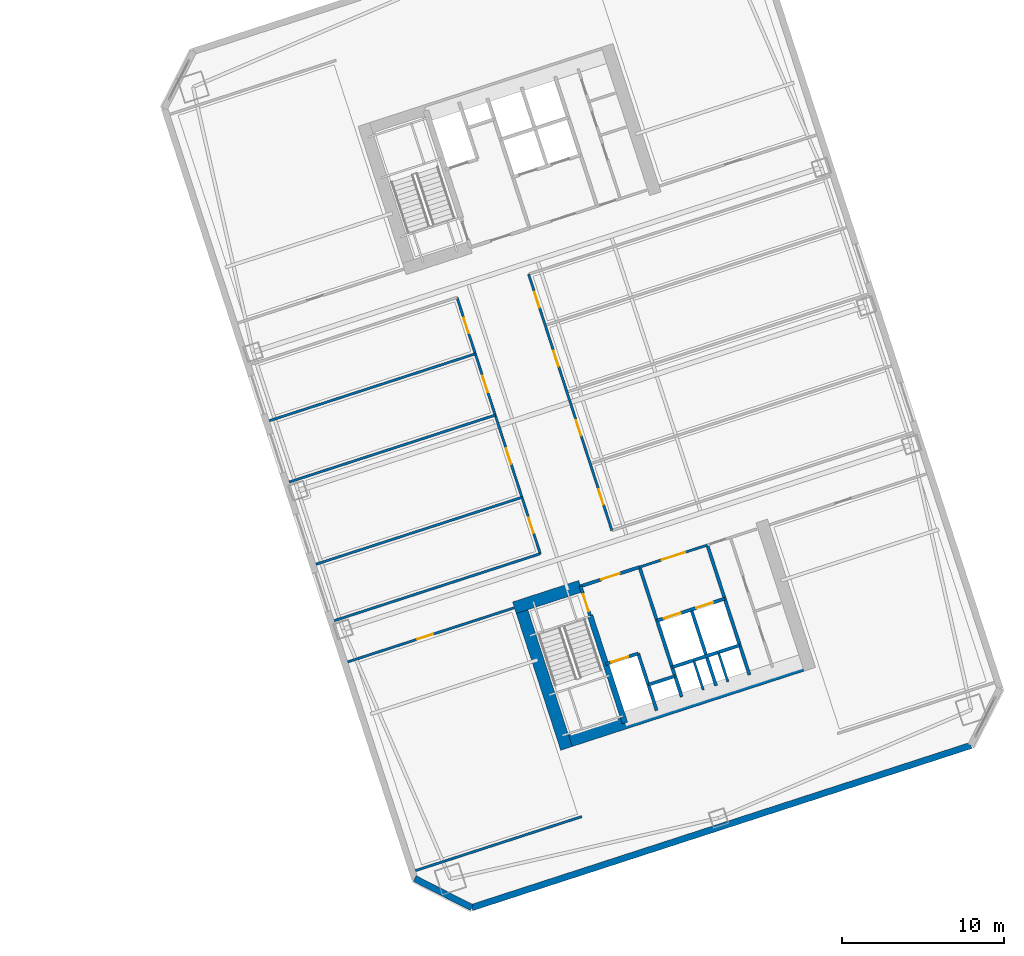
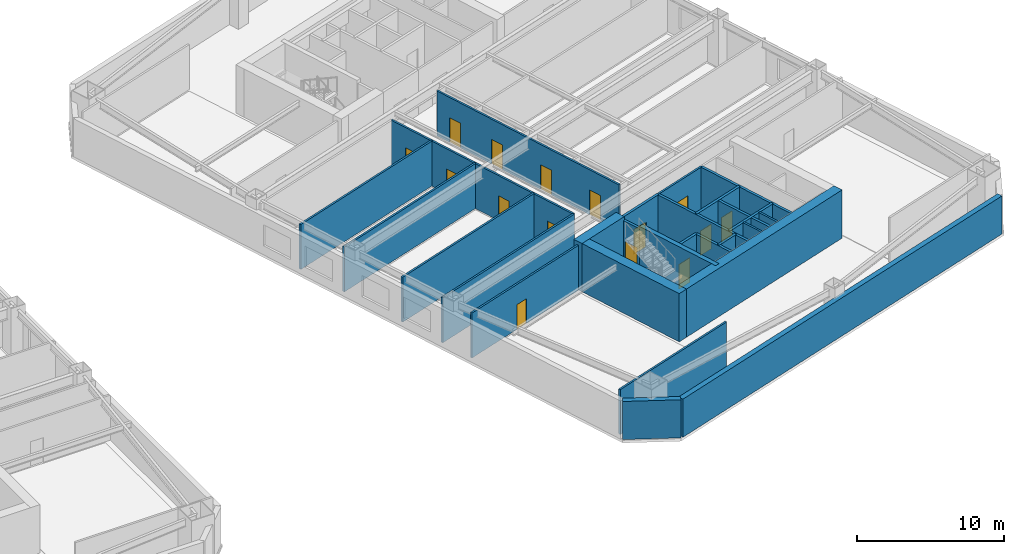
# One storey, part 13 of 24: 27 walls, 15 doors, 15 openings.
"""IFC4 building model written with IfcOpenShell, lengths in metres."""

from ifc_helpers import new_model, si_unit, direction, frame, frame_2d, origin, place, context, subcontext, project, spatial, rectangle, extrude, material, layer, layer_set, type_object, element, fill, save


model = new_model("IFC4")

# Units and contexts
model_context = context("Model", 3, precision=1e-05, world=origin(), true_north=direction((0.0, 1.0)))
body_context = subcontext(model_context, "Body", "Model", "MODEL_VIEW")
ifc_project = project(units=[si_unit("LENGTHUNIT", "METRE"), si_unit("AREAUNIT", "SQUARE_METRE"), si_unit("VOLUMEUNIT", "CUBIC_METRE"), si_unit("PLANEANGLEUNIT", "RADIAN"), si_unit("MASSUNIT", "GRAM", prefix="KILO")], contexts=[model_context])

# Site, building, storey
site_placement = place(None, origin())
site = spatial("IfcSite", under=ifc_project, at=site_placement, CompositionType="ELEMENT")
building_placement = place(site_placement, origin())
building = spatial("IfcBuilding", under=site, at=building_placement, Name="Qiaolan Cultural Towers", CompositionType="ELEMENT")
storey_placement = place(building_placement, frame((0.0, 0.0, 30.0)))
storey = spatial("IfcBuildingStorey", under=building, at=storey_placement, Name="L06", CompositionType="ELEMENT", Elevation=30.0)

# Walls
ifc_material_1 = material(Name="Concrete C50", Category="concrete")
ifc_layer_1 = layer(ifc_material_1, 0.35009765625)
ifc_layer_set_1 = layer_set([ifc_layer_1], Name="Concrete C50")
wall_type_1 = type_object("IfcWallType", Name="WL-CORE-350", PredefinedType="SHEAR", material=ifc_layer_set_1)
wall_1_placement = place(storey_placement, frame((90.486328125, 20.59423828125, 0.0), z_axis=(0.0, 0.0, 1.0), x_axis=(0.309020428229, -0.951055400562, 0.0)))
element("IfcWall", 1, at=wall_1_placement, inside=storey, type_object=wall_type_1, Name="L06 T2-CS Stair Core Dividing Web", PredefinedType="SHEAR", context=body_context, shape_type="SweptSolid", body=[
    extrude(rectangle(XDim=6.97998046875, YDim=0.35009765625, at=frame_2d((3.489990234375, 0.0))), origin(), (0.0, 0.0, 1.0), 4.0),
])
ifc_material_2 = material(Name="Concrete C60", Category="concrete")
ifc_layer_2 = layer(ifc_material_2, 0.75)
ifc_layer_set_2 = layer_set([ifc_layer_2], Name="Concrete C60")
wall_type_2 = type_object("IfcWallType", Name="WL-CORE-750", PredefinedType="SHEAR", material=ifc_layer_set_2)
wall_2_placement = place(storey_placement, frame((88.55859375, 12.628662109375, 0.0), z_axis=(0.0, 0.0, 1.0), x_axis=(0.951056072937, 0.309018358888, 0.0)))
element("IfcWall", 2, at=wall_2_placement, inside=storey, type_object=wall_type_2, Name="L06 T2-CS Outer Core Shear Wall", PredefinedType="SHEAR", context=body_context, shape_type="SweptSolid", body=[
    extrude(rectangle(XDim=16.550048828125, YDim=0.75, at=frame_2d((8.27490234375, 0.0))), origin(), (0.0, 0.0, 1.0), 4.0),
])
wall_3_placement = place(storey_placement, frame((86.05517578125, 21.54638671875, 0.0), z_axis=(0.0, 0.0, 1.0), x_axis=(0.309023585745, -0.951054374604, 0.0)))
element("IfcWall", 3, at=wall_3_placement, inside=storey, type_object=wall_type_2, Name="L06 T2-CS West Core Shear Wall", PredefinedType="SHEAR", context=body_context, shape_type="SweptSolid", body=[
    extrude(rectangle(XDim=9.6298828125, YDim=0.75, at=frame_2d((4.81494140625, 0.0))), origin(), (0.0, 0.0, 1.0), 4.0),
])
wall_4_placement = place(storey_placement, frame((85.814453125, 21.073974609375, 0.0), z_axis=(0.0, 0.0, 1.0), x_axis=(0.95106580992, 0.308988390074, 0.0)))
element("IfcWall", 4, at=wall_4_placement, inside=storey, type_object=wall_type_2, Name="L06 T2-CS Stair Front Shear Wall", PredefinedType="SHEAR", context=body_context, shape_type="SweptSolid", body=[
    extrude(rectangle(XDim=4.295166015625, YDim=0.75, at=frame_2d((2.1474609375, 0.0))), origin(), (0.0, 0.0, 1.0), 4.0),
])
ifc_material_3 = material(Name="Precast Concrete C50 Honed Stone Pier", Category="masonry")
ifc_layer_3 = layer(ifc_material_3, 0.39990234375)
ifc_layer_set_3 = layer_set([ifc_layer_3], Name="Precast Concrete C50 Honed Stone Pier")
wall_type_3 = type_object("IfcWallType", Name="WL-EXT-PIER-400", PredefinedType="SOLIDWALL", material=ifc_layer_set_3)
wall_5_placement = place(storey_placement, frame((113.997802734375, 12.566650390625, 0.0), z_axis=(0.0, 0.0, 1.0), x_axis=(-0.951055939317, -0.309018770125, 0.0)))
element("IfcWall", 5, at=wall_5_placement, inside=storey, type_object=wall_type_3, Name="L06 East Tower Precast Pier Facade Wall F7", PredefinedType="SOLIDWALL", context=body_context, shape_type="SweptSolid", body=[
    extrude(rectangle(XDim=32.39990234375, YDim=0.39990234375, at=frame_2d((16.199951171875, 0.0))), origin(), (0.0, 0.0, 1.0), 3.159912109375),
])
wall_6_placement = place(storey_placement, frame((83.18359375, 2.554443359375, 0.0), z_axis=(0.0, 0.0, 1.0), x_axis=(-0.890998089617, 0.454007053137, 0.0)))
element("IfcWall", 6, at=wall_6_placement, inside=storey, type_object=wall_type_3, Name="L06 East Tower Precast Pier Facade Wall F8", PredefinedType="SOLIDWALL", context=body_context, shape_type="SweptSolid", body=[
    extrude(rectangle(XDim=3.9599609375, YDim=0.39990234375, at=frame_2d((1.97998046875, 0.0))), origin(), (0.0, 0.0, 1.0), 3.159912109375),
])

# Wall, opening, door
ifc_material_4 = material(Name="Concrete C35 Fire Wall", Category="concrete")
ifc_layer_4 = layer(ifc_material_4, 0.199951171875)
ifc_layer_set_4 = layer_set([ifc_layer_4], Name="Concrete C35 Fire Wall")
wall_type_4 = type_object("IfcWallType", Name="WL-FIRE-200", PredefinedType="PARTITIONING", material=ifc_layer_set_4)
wall_7_placement = place(storey_placement, frame((89.8994140625, 22.401123046875, 0.0), z_axis=(0.0, 0.0, 1.0), x_axis=(0.308932062672, -0.951084108086, 0.0)))
wall_7 = element("IfcWall", 7, at=wall_7_placement, inside=storey, type_object=wall_type_4, Name="L06 T2-CS Smokeproof Stair Entry Wall", PredefinedType="PARTITIONING", context=body_context, shape_type="SweptSolid", body=[
    extrude(rectangle(XDim=1.89990234375, YDim=0.199951171875, at=frame_2d((0.949951171875, 0.0))), origin(), (0.0, 0.0, 1.0), 3.72509765625),
])
opening_1_placement = place(wall_7_placement, frame((0.52001953125, 0.0, 0.0)))
opening_1 = element("IfcOpeningElement", 8, at=opening_1_placement, cuts=wall_7, Name="Opening FD-04", PredefinedType="OPENING", context=body_context, shape_type="SweptSolid", body=[
    extrude(rectangle(XDim=1.10009765625, YDim=2.050048828125, at=frame_2d((0.550048828125, 1.02490234375))), frame((0.0, 0.10986328125, 0.0), z_axis=(0.0, -1.0, 0.0), x_axis=(1.0, 0.0, 0.0)), (0.0, 0.0, 1.0), 0.219970703125),
])
ifc_material_5 = material(Name="Galvanized Steel Command Fire Door", Category="steel")
door_type_1 = type_object("IfcDoorType", Name="DR-FD90-1100", OperationType="NOTDEFINED", PredefinedType="DOOR", material=ifc_material_5)
door_1_placement = place(opening_1_placement, origin())
door_1 = element("IfcDoor", 9, at=door_1_placement, inside=storey, type_object=door_type_1, Name="L06 ST-E1 Smokeproof Stair Fire Door", OperationType="SINGLE_SWING_LEFT", OverallHeight=2.050048828125, OverallWidth=1.10009765625, PredefinedType="DOOR", context=body_context, shape_type="SweptSolid", body=[
    extrude(rectangle(XDim=1.10009765625, YDim=2.050048828125, at=frame_2d((0.550048828125, 1.02490234375))), frame((0.0, 0.02490234375, 0.0), z_axis=(0.0, -1.0, 0.0), x_axis=(1.0, 0.0, 0.0)), (0.0, 0.0, 1.0), 0.050048828125),
])
fill(opening_1, door_1)

# Wall
wall_8_placement = place(storey_placement, frame((93.541748046875, 23.584716796875, 0.0), z_axis=(0.0, 0.0, 1.0), x_axis=(0.309042196757, -0.951048327176, 0.0)))
element("IfcWall", 10, at=wall_8_placement, inside=storey, type_object=wall_type_4, Name="L06 T2-CS Firefighting Zone Wall", PredefinedType="PARTITIONING", context=body_context, shape_type="SweptSolid", body=[
    extrude(rectangle(XDim=8.429931640625, YDim=0.199951171875, at=frame_2d((4.21484375, 0.0))), origin(), (0.0, 0.0, 1.0), 3.72509765625),
])

# Wall, opening, door
wall_9_placement = place(storey_placement, frame((89.8994140625, 22.401123046875, 0.0), z_axis=(0.0, 0.0, 1.0), x_axis=(0.951046716504, 0.309047153403, 0.0)))
wall_9 = element("IfcWall", 11, at=wall_9_placement, inside=storey, type_object=wall_type_4, Name="L06 T2-CS Firefighting Lobby Front Wall", PredefinedType="PARTITIONING", context=body_context, shape_type="SweptSolid", body=[
    extrude(rectangle(XDim=3.829833984375, YDim=0.199951171875, at=frame_2d((1.9150390625, 0.0))), origin(), (0.0, 0.0, 1.0), 3.72509765625),
])
opening_2_placement = place(wall_9_placement, frame((1.35009765625, 0.0, 0.0)))
opening_2 = element("IfcOpeningElement", 12, at=opening_2_placement, cuts=wall_9, Name="Opening FD-03", PredefinedType="OPENING", context=body_context, shape_type="SweptSolid", body=[
    extrude(rectangle(XDim=1.199951171875, YDim=2.050048828125, at=frame_2d((0.60009765625, 1.02490234375))), frame((0.0, 0.10986328125, 0.0), z_axis=(0.0, -1.0, 0.0), x_axis=(1.0, 0.0, 0.0)), (0.0, 0.0, 1.0), 0.219970703125),
])
ifc_material_6 = material(Name="Galvanized Steel Smokeproof Lobby Fire Door", Category="steel")
door_type_2 = type_object("IfcDoorType", Name="DR-FD90-1200", OperationType="NOTDEFINED", PredefinedType="DOOR", material=ifc_material_6)
door_2_placement = place(opening_2_placement, origin())
door_2 = element("IfcDoor", 13, at=door_2_placement, inside=storey, type_object=door_type_2, Name="L06 FFL-E1 Firefighting Lobby Fire Door", OperationType="SINGLE_SWING_LEFT", OverallHeight=2.050048828125, OverallWidth=1.199951171875, PredefinedType="DOOR", context=body_context, shape_type="SweptSolid", body=[
    extrude(rectangle(XDim=1.199951171875, YDim=2.050048828125, at=frame_2d((0.60009765625, 1.02490234375))), frame((0.0, 0.02490234375, 0.0), z_axis=(0.0, -1.0, 0.0), x_axis=(1.0, 0.0, 0.0)), (0.0, 0.0, 1.0), 0.050048828125),
])
fill(opening_2, door_2)

wall_10_placement = place(storey_placement, frame((91.459716796875, 17.598388671875, 0.0), z_axis=(0.0, 0.0, 1.0), x_axis=(0.951062257173, 0.308999325213, 0.0)))
wall_10 = element("IfcWall", 14, at=wall_10_placement, inside=storey, type_object=wall_type_4, Name="L06 T2-CS Firefighting Shaft Front Wall", PredefinedType="PARTITIONING", context=body_context, shape_type="SweptSolid", body=[
    extrude(rectangle(XDim=2.10009765625, YDim=0.199951171875, at=frame_2d((1.050048828125, 0.0))), origin(), (0.0, 0.0, 1.0), 3.72509765625),
])
opening_3_placement = place(wall_10_placement, frame((0.35009765625, 0.0, 0.0)))
opening_3 = element("IfcOpeningElement", 15, at=opening_3_placement, cuts=wall_10, Name="Opening LD-01", PredefinedType="OPENING", context=body_context, shape_type="SweptSolid", body=[
    extrude(rectangle(XDim=1.10009765625, YDim=2.050048828125, at=frame_2d((0.550048828125, 1.02490234375))), frame((0.0, 0.10986328125, 0.0), z_axis=(0.0, -1.0, 0.0), x_axis=(1.0, 0.0, 0.0)), (0.0, 0.0, 1.0), 0.219970703125),
])
ifc_material_7 = material(Name="Brushed Stainless Steel S30408 Centre-Parting Lift Landing Door", Category="steel")
door_type_3 = type_object("IfcDoorType", Name="DR-LIFT-1100", OperationType="NOTDEFINED", PredefinedType="DOOR", material=ifc_material_7)
door_3_placement = place(opening_3_placement, origin())
door_3 = element("IfcDoor", 16, at=door_3_placement, inside=storey, type_object=door_type_3, Name="L06 FFL-E1 Firefighting Lift Landing Door", OperationType="DOUBLE_DOOR_SLIDING", OverallHeight=2.050048828125, OverallWidth=1.10009765625, PredefinedType="DOOR", context=body_context, shape_type="SweptSolid", body=[
    extrude(rectangle(XDim=1.10009765625, YDim=2.050048828125, at=frame_2d((0.550048828125, 1.02490234375))), frame((0.0, 0.02490234375, 0.0), z_axis=(0.0, -1.0, 0.0), x_axis=(1.0, 0.0, 0.0)), (0.0, 0.0, 1.0), 0.050048828125),
])
fill(opening_3, door_3)

# Walls
wall_11_placement = place(storey_placement, frame((93.45703125, 18.247314453125, 0.0), z_axis=(0.0, 0.0, 1.0), x_axis=(0.3089935693, -0.951064127245, 0.0)))
element("IfcWall", 17, at=wall_11_placement, inside=storey, type_object=wall_type_4, Name="L06 T2-CS Firefighting Hoistway East Wall", PredefinedType="PARTITIONING", context=body_context, shape_type="SweptSolid", body=[
    extrude(rectangle(XDim=3.7001953125, YDim=0.199951171875, at=frame_2d((1.85009765625, 0.0))), origin(), (0.0, 0.0, 1.0), 3.72509765625),
])
wall_12_placement = place(storey_placement, frame((94.08447265625, 16.316650390625, 0.0), z_axis=(0.0, 0.0, 1.0), x_axis=(0.951041328149, 0.309063734775, 0.0)))
element("IfcWall", 18, at=wall_12_placement, inside=storey, type_object=wall_type_4, Name="L06 T2-CS Pressurization Shaft Front Wall", PredefinedType="PARTITIONING", context=body_context, shape_type="SweptSolid", body=[
    extrude(rectangle(XDim=1.72998046875, YDim=0.199951171875, at=frame_2d((0.864990234375, 0.0))), origin(), (0.0, 0.0, 1.0), 3.72509765625),
])
wall_13_placement = place(storey_placement, frame((97.7265625, 24.9443359375, 0.0), z_axis=(0.0, 0.0, 1.0), x_axis=(0.309016001439, -0.951056838919, 0.0)))
element("IfcWall", 19, at=wall_13_placement, inside=storey, type_object=wall_type_4, Name="L06 T2-CS Lift Core East Wall", PredefinedType="PARTITIONING", context=body_context, shape_type="SweptSolid", body=[
    extrude(rectangle(XDim=8.429931640625, YDim=0.199951171875, at=frame_2d((4.21484375, 0.0))), origin(), (0.0, 0.0, 1.0), 3.72509765625),
])

# Wall, openings, doors
wall_14_placement = place(storey_placement, frame((94.6171875, 20.275146484375, 0.0), z_axis=(0.0, 0.0, 1.0), x_axis=(0.951058531764, 0.30901079133, 0.0)))
wall_14 = element("IfcWall", 20, at=wall_14_placement, inside=storey, type_object=wall_type_4, Name="L06 T2-CS Passenger Lift Shaft Front Wall", PredefinedType="PARTITIONING", context=body_context, shape_type="SweptSolid", body=[
    extrude(rectangle(XDim=4.39990234375, YDim=0.199951171875, at=frame_2d((2.199951171875, 0.0))), origin(), (0.0, 0.0, 1.0), 3.72509765625),
])
opening_4_placement = place(wall_14_placement, frame((0.449951171875, 0.0, 0.0)))
opening_4 = element("IfcOpeningElement", 21, at=opening_4_placement, cuts=wall_14, Name="Opening LD-01", PredefinedType="OPENING", context=body_context, shape_type="SweptSolid", body=[
    extrude(rectangle(XDim=1.10009765625, YDim=2.050048828125, at=frame_2d((0.550048828125, 1.02490234375))), frame((0.0, 0.10986328125, 0.0), z_axis=(0.0, -1.0, 0.0), x_axis=(1.0, 0.0, 0.0)), (0.0, 0.0, 1.0), 0.219970703125),
])
opening_5_placement = place(wall_14_placement, frame((2.550048828125, 0.0, 0.0)))
opening_5 = element("IfcOpeningElement", 22, at=opening_5_placement, cuts=wall_14, Name="Opening LD-01", PredefinedType="OPENING", context=body_context, shape_type="SweptSolid", body=[
    extrude(rectangle(XDim=1.10009765625, YDim=2.050048828125, at=frame_2d((0.550048828125, 1.02490234375))), frame((0.0, 0.10986328125, 0.0), z_axis=(0.0, -1.0, 0.0), x_axis=(1.0, 0.0, 0.0)), (0.0, 0.0, 1.0), 0.219970703125),
])
door_4_placement = place(opening_4_placement, origin())
door_4 = element("IfcDoor", 23, at=door_4_placement, inside=storey, type_object=door_type_3, Name="L06 Passenger Lift 1 Landing Door", OperationType="DOUBLE_DOOR_SLIDING", OverallHeight=2.050048828125, OverallWidth=1.10009765625, PredefinedType="DOOR", context=body_context, shape_type="SweptSolid", body=[
    extrude(rectangle(XDim=1.10009765625, YDim=2.050048828125, at=frame_2d((0.550048828125, 1.02490234375))), frame((0.0, 0.02490234375, 0.0), z_axis=(0.0, -1.0, 0.0), x_axis=(1.0, 0.0, 0.0)), (0.0, 0.0, 1.0), 0.050048828125),
])
fill(opening_4, door_4)
door_5_placement = place(opening_5_placement, origin())
door_5 = element("IfcDoor", 24, at=door_5_placement, inside=storey, type_object=door_type_3, Name="L06 Passenger Lift 2 Landing Door", OperationType="DOUBLE_DOOR_SLIDING", OverallHeight=2.050048828125, OverallWidth=1.10009765625, PredefinedType="DOOR", context=body_context, shape_type="SweptSolid", body=[
    extrude(rectangle(XDim=1.10009765625, YDim=2.050048828125, at=frame_2d((0.550048828125, 1.02490234375))), frame((0.0, 0.02490234375, 0.0), z_axis=(0.0, -1.0, 0.0), x_axis=(1.0, 0.0, 0.0)), (0.0, 0.0, 1.0), 0.050048828125),
])
fill(opening_5, door_5)

# Walls
wall_15_placement = place(storey_placement, frame((96.738037109375, 20.964111328125, 0.0), z_axis=(0.0, 0.0, 1.0), x_axis=(0.309042578481, -0.951048203135, 0.0)))
element("IfcWall", 25, at=wall_15_placement, inside=storey, type_object=wall_type_4, Name="L06 T2-CS Lift Shaft Divider Wall", PredefinedType="PARTITIONING", context=body_context, shape_type="SweptSolid", body=[
    extrude(rectangle(XDim=4.9501953125, YDim=0.199951171875, at=frame_2d((2.47509765625, 0.0))), origin(), (0.0, 0.0, 1.0), 3.72509765625),
])
wall_16_placement = place(storey_placement, frame((95.550537109375, 17.40283203125, 0.0), z_axis=(0.0, 0.0, 1.0), x_axis=(0.951058531764, 0.30901079133, 0.0)))
element("IfcWall", 26, at=wall_16_placement, inside=storey, type_object=wall_type_4, Name="L06 T2-CS Passenger Lift Shaft Back Wall", PredefinedType="PARTITIONING", context=body_context, shape_type="SweptSolid", body=[
    extrude(rectangle(XDim=4.39990234375, YDim=0.199951171875, at=frame_2d((2.199951171875, 0.0))), origin(), (0.0, 0.0, 1.0), 3.72509765625),
])

# Wall, opening, door
ifc_material_8 = material(Name="Autoclaved Aerated Concrete Block B06", Category="concrete")
ifc_layer_5 = layer(ifc_material_8, 0.14990234375)
ifc_layer_set_5 = layer_set([ifc_layer_5], Name="Autoclaved Aerated Concrete Block B06")
wall_type_5 = type_object("IfcWallType", Name="WL-PART-150", PredefinedType="PARTITIONING", material=ifc_layer_set_5)
wall_17_placement = place(storey_placement, frame((93.541748046875, 23.584716796875, 0.0), z_axis=(0.0, 0.0, 1.0), x_axis=(0.951063829732, 0.308994485023, 0.0)))
wall_17 = element("IfcWall", 27, at=wall_17_placement, inside=storey, type_object=wall_type_5, Name="L06 T2-CS Passenger Lift Lobby Front Wall", PredefinedType="PARTITIONING", context=body_context, shape_type="SweptSolid", body=[
    extrude(rectangle(XDim=4.400146484375, YDim=0.14990234375, at=frame_2d((2.2001953125, 0.0))), origin(), (0.0, 0.0, 1.0), 3.72509765625),
])
opening_6_placement = place(wall_17_placement, frame((1.449951171875, 0.0, 0.0)))
opening_6 = element("IfcOpeningElement", 28, at=opening_6_placement, cuts=wall_17, Name="Opening FD-05", PredefinedType="OPENING", context=body_context, shape_type="SweptSolid", body=[
    extrude(rectangle(XDim=1.5, YDim=2.050048828125, at=frame_2d((0.75, 1.02490234375))), frame((0.0, 0.0849609375, 0.0), z_axis=(0.0, -1.0, 0.0), x_axis=(1.0, 0.0, 0.0)), (0.0, 0.0, 1.0), 0.169921875),
])
ifc_material_9 = material(Name="Painted Steel Lift Lobby Fire Door", Category="steel")
door_type_4 = type_object("IfcDoorType", Name="DR-FD60-1500", OperationType="NOTDEFINED", PredefinedType="DOOR", material=ifc_material_9)
door_6_placement = place(opening_6_placement, origin())
door_6 = element("IfcDoor", 29, at=door_6_placement, inside=storey, type_object=door_type_4, Name="L06 Passenger Lift Lobby Entrance", OperationType="SINGLE_SWING_LEFT", OverallHeight=2.050048828125, OverallWidth=1.5, PredefinedType="DOOR", context=body_context, shape_type="SweptSolid", body=[
    extrude(rectangle(XDim=1.5, YDim=2.050048828125, at=frame_2d((0.75, 1.02490234375))), frame((0.0, 0.02490234375, 0.0), z_axis=(0.0, -1.0, 0.0), x_axis=(1.0, 0.0, 0.0)), (0.0, 0.0, 1.0), 0.050048828125),
])
fill(opening_6, door_6)

# Walls
wall_18_placement = place(storey_placement, frame((96.8974609375, 17.787841796875, 0.0), z_axis=(0.0, 0.0, 1.0), x_axis=(0.30897153969, -0.951071284217, 0.0)))
element("IfcWall", 30, at=wall_18_placement, inside=storey, type_object=wall_type_5, Name="L06 T2-CS Core Rear Split 1", PredefinedType="PARTITIONING", context=body_context, shape_type="SweptSolid", body=[
    extrude(rectangle(XDim=1.8798828125, YDim=0.14990234375, at=frame_2d((0.93994140625, 0.0))), origin(), (0.0, 0.0, 1.0), 3.72509765625),
])
wall_19_placement = place(storey_placement, frame((98.419189453125, 18.282470703125, 0.0), z_axis=(0.0, 0.0, 1.0), x_axis=(0.308933380006, -0.951083680187, 0.0)))
element("IfcWall", 31, at=wall_19_placement, inside=storey, type_object=wall_type_5, Name="L06 T2-CS Core Rear Split 2", PredefinedType="PARTITIONING", context=body_context, shape_type="SweptSolid", body=[
    extrude(rectangle(XDim=1.880126953125, YDim=0.14990234375, at=frame_2d((0.93994140625, 0.0))), origin(), (0.0, 0.0, 1.0), 3.72509765625),
])
wall_20_placement = place(storey_placement, frame((79.70654296875, 4.842041015625, 0.0), z_axis=(0.0, 0.0, 1.0), x_axis=(0.951056658866, 0.309016555588, 0.0)))
element("IfcWall", 32, at=wall_20_placement, inside=storey, type_object=wall_type_5, Name="L06 T2 Flank Wall FLK-SW", PredefinedType="PARTITIONING", context=body_context, shape_type="SweptSolid", body=[
    extrude(rectangle(XDim=10.800048828125, YDim=0.14990234375, at=frame_2d((5.39990234375, 0.0))), origin(), (0.0, 0.0, 1.0), 3.72509765625),
])

# Wall, opening, door
wall_21_placement = place(storey_placement, frame((75.519287109375, 17.728759765625, 0.0), z_axis=(0.0, 0.0, 1.0), x_axis=(0.951056658866, 0.309016555588, 0.0)))
wall_21 = element("IfcWall", 33, at=wall_21_placement, inside=storey, type_object=wall_type_5, Name="L06 T2 Flank Front FLK-SW", PredefinedType="PARTITIONING", context=body_context, shape_type="SweptSolid", body=[
    extrude(rectangle(XDim=10.800048828125, YDim=0.14990234375, at=frame_2d((5.39990234375, 0.0))), origin(), (0.0, 0.0, 1.0), 3.72509765625),
])
opening_7_placement = place(wall_21_placement, frame((4.535888671875, 0.0, 0.0)))
opening_7 = element("IfcOpeningElement", 34, at=opening_7_placement, cuts=wall_21, Name="Opening ID-04", PredefinedType="OPENING", context=body_context, shape_type="SweptSolid", body=[
    extrude(rectangle(XDim=1.0, YDim=2.050048828125, at=frame_2d((0.5, 1.02490234375))), frame((0.0, 0.0849609375, 0.0), z_axis=(0.0, -1.0, 0.0), x_axis=(1.0, 0.0, 0.0)), (0.0, 0.0, 1.0), 0.169921875),
])
ifc_material_10 = material(Name="Oak Veneer Acoustic Office Door", Category="timber")
door_type_5 = type_object("IfcDoorType", Name="DR-INT-1000", OperationType="NOTDEFINED", PredefinedType="DOOR", material=ifc_material_10)
door_7_placement = place(opening_7_placement, origin())
door_7 = element("IfcDoor", 35, at=door_7_placement, inside=storey, type_object=door_type_5, Name="L06 T2 Corner Studio Door", OperationType="SINGLE_SWING_LEFT", OverallHeight=2.050048828125, OverallWidth=1.0, PredefinedType="DOOR", context=body_context, shape_type="SweptSolid", body=[
    extrude(rectangle(XDim=1.0, YDim=2.050048828125, at=frame_2d((0.5, 1.02490234375))), frame((0.0, 0.02490234375, 0.0), z_axis=(0.0, -1.0, 0.0), x_axis=(1.0, 0.0, 0.0)), (0.0, 0.0, 1.0), 0.050048828125),
])
fill(opening_7, door_7)

# Wall
wall_22_placement = place(storey_placement, frame((74.691162109375, 20.277587890625, 0.0), z_axis=(0.0, 0.0, 1.0), x_axis=(0.951052712421, 0.309028701251, 0.0)))
element("IfcWall", 36, at=wall_22_placement, inside=storey, type_object=wall_type_5, Name="L06 T2 South Corridor Left Wall", PredefinedType="PARTITIONING", context=body_context, shape_type="SweptSolid", body=[
    extrude(rectangle(XDim=13.375244140625, YDim=0.14990234375, at=frame_2d((6.6875, 0.0))), origin(), (0.0, 0.0, 1.0), 3.72509765625),
])

# Wall, openings, doors
wall_23_placement = place(storey_placement, frame((87.41162109375, 24.410888671875, 0.0), z_axis=(0.0, 0.0, 1.0), x_axis=(-0.309022042254, 0.951054876125, 0.0)))
wall_23 = element("IfcWall", 37, at=wall_23_placement, inside=storey, type_object=wall_type_5, Name="L06 T2 West Spine Wall", PredefinedType="PARTITIONING", context=body_context, shape_type="SweptSolid", body=[
    extrude(rectangle(XDim=16.639892578125, YDim=0.14990234375, at=frame_2d((8.31982421875, 0.0))), origin(), (0.0, 0.0, 1.0), 3.72509765625),
])
opening_8_placement = place(wall_23_placement, frame((1.330322265625, 0.0, 0.0)))
opening_8 = element("IfcOpeningElement", 38, at=opening_8_placement, cuts=wall_23, Name="Opening ID-04", PredefinedType="OPENING", context=body_context, shape_type="SweptSolid", body=[
    extrude(rectangle(XDim=1.0, YDim=2.050048828125, at=frame_2d((0.5, 1.02490234375))), frame((0.0, 0.0849609375, 0.0), z_axis=(0.0, -1.0, 0.0), x_axis=(1.0, 0.0, 0.0)), (0.0, 0.0, 1.0), 0.169921875),
])
opening_9_placement = place(wall_23_placement, frame((5.830322265625, 0.0, 0.0)))
opening_9 = element("IfcOpeningElement", 39, at=opening_9_placement, cuts=wall_23, Name="Opening ID-04", PredefinedType="OPENING", context=body_context, shape_type="SweptSolid", body=[
    extrude(rectangle(XDim=1.0, YDim=2.050048828125, at=frame_2d((0.5, 1.02490234375))), frame((0.0, 0.0849609375, 0.0), z_axis=(0.0, -1.0, 0.0), x_axis=(1.0, 0.0, 0.0)), (0.0, 0.0, 1.0), 0.169921875),
])
opening_10_placement = place(wall_23_placement, frame((10.489501953125, 0.0, 0.0)))
opening_10 = element("IfcOpeningElement", 40, at=opening_10_placement, cuts=wall_23, Name="Opening ID-07", PredefinedType="OPENING", context=body_context, shape_type="SweptSolid", body=[
    extrude(rectangle(XDim=1.050048828125, YDim=2.050048828125, at=frame_2d((0.52490234375, 1.02490234375))), frame((0.0, 0.0849609375, 0.0), z_axis=(0.0, -1.0, 0.0), x_axis=(1.0, 0.0, 0.0)), (0.0, 0.0, 1.0), 0.169921875),
])
opening_11_placement = place(wall_23_placement, frame((14.3095703125, 0.0, 0.0)))
opening_11 = element("IfcOpeningElement", 41, at=opening_11_placement, cuts=wall_23, Name="Opening ID-04", PredefinedType="OPENING", context=body_context, shape_type="SweptSolid", body=[
    extrude(rectangle(XDim=1.0, YDim=2.050048828125, at=frame_2d((0.5, 1.02490234375))), frame((0.0, 0.0849609375, 0.0), z_axis=(0.0, -1.0, 0.0), x_axis=(1.0, 0.0, 0.0)), (0.0, 0.0, 1.0), 0.169921875),
])
door_8_placement = place(opening_8_placement, origin())
door_8 = element("IfcDoor", 42, at=door_8_placement, inside=storey, type_object=door_type_5, Name="L06 T2 Gallery Exhibition Room Door", OperationType="SINGLE_SWING_LEFT", OverallHeight=2.050048828125, OverallWidth=1.0, PredefinedType="DOOR", context=body_context, shape_type="SweptSolid", body=[
    extrude(rectangle(XDim=1.0, YDim=2.050048828125, at=frame_2d((0.5, 1.02490234375))), frame((0.0, 0.02490234375, 0.0), z_axis=(0.0, -1.0, 0.0), x_axis=(1.0, 0.0, 0.0)), (0.0, 0.0, 1.0), 0.050048828125),
])
fill(opening_8, door_8)
door_9_placement = place(opening_9_placement, origin())
door_9 = element("IfcDoor", 43, at=door_9_placement, inside=storey, type_object=door_type_5, Name="L06 T2 Curatorial Office Door", OperationType="SINGLE_SWING_RIGHT", OverallHeight=2.050048828125, OverallWidth=1.0, PredefinedType="DOOR", context=body_context, shape_type="SweptSolid", body=[
    extrude(rectangle(XDim=1.0, YDim=2.050048828125, at=frame_2d((0.5, 1.02490234375))), frame((0.0, 0.02490234375, 0.0), z_axis=(0.0, -1.0, 0.0), x_axis=(1.0, 0.0, 0.0)), (0.0, 0.0, 1.0), 0.050048828125),
])
fill(opening_9, door_9)
door_10_placement = place(opening_11_placement, origin())
door_10 = element("IfcDoor", 44, at=door_10_placement, inside=storey, type_object=door_type_5, Name="L06 T2 Gallery Exhibition Room Door", OperationType="SINGLE_SWING_RIGHT", OverallHeight=2.050048828125, OverallWidth=1.0, PredefinedType="DOOR", context=body_context, shape_type="SweptSolid", body=[
    extrude(rectangle(XDim=1.0, YDim=2.050048828125, at=frame_2d((0.5, 1.02490234375))), frame((0.0, 0.02490234375, 0.0), z_axis=(0.0, -1.0, 0.0), x_axis=(1.0, 0.0, 0.0)), (0.0, 0.0, 1.0), 0.050048828125),
])
fill(opening_11, door_10)
ifc_material_11 = material(Name="Oak Veneer Consultation Door", Category="timber")
door_type_6 = type_object("IfcDoorType", Name="DR-INT-1050", OperationType="NOTDEFINED", PredefinedType="DOOR", material=ifc_material_11)
door_11_placement = place(opening_10_placement, origin())
door_11 = element("IfcDoor", 45, at=door_11_placement, inside=storey, type_object=door_type_6, Name="L06 T2 Conservation Studio Door", OperationType="SINGLE_SWING_LEFT", OverallHeight=2.050048828125, OverallWidth=1.050048828125, PredefinedType="DOOR", context=body_context, shape_type="SweptSolid", body=[
    extrude(rectangle(XDim=1.050048828125, YDim=2.050048828125, at=frame_2d((0.52490234375, 1.02490234375))), frame((0.0, 0.02490234375, 0.0), z_axis=(0.0, -1.0, 0.0), x_axis=(1.0, 0.0, 0.0)), (0.0, 0.0, 1.0), 0.050048828125),
])
fill(opening_10, door_11)

wall_24_placement = place(storey_placement, frame((91.833984375, 25.84765625, 0.0), z_axis=(0.0, 0.0, 1.0), x_axis=(-0.30901773025, 0.951056277195, 0.0)))
wall_24 = element("IfcWall", 46, at=wall_24_placement, inside=storey, type_object=wall_type_5, Name="L06 T2 East Spine Wall", PredefinedType="PARTITIONING", context=body_context, shape_type="SweptSolid", body=[
    extrude(rectangle(XDim=16.64013671875, YDim=0.14990234375, at=frame_2d((8.320068359375, 0.0))), origin(), (0.0, 0.0, 1.0), 3.72509765625),
])
opening_12_placement = place(wall_24_placement, frame((1.6630859375, 0.0, 0.0)))
opening_12 = element("IfcOpeningElement", 47, at=opening_12_placement, cuts=wall_24, Name="Opening ID-04", PredefinedType="OPENING", context=body_context, shape_type="SweptSolid", body=[
    extrude(rectangle(XDim=1.0, YDim=2.050048828125, at=frame_2d((0.5, 1.02490234375))), frame((0.0, 0.0849609375, 0.0), z_axis=(0.0, -1.0, 0.0), x_axis=(1.0, 0.0, 0.0)), (0.0, 0.0, 1.0), 0.169921875),
])
opening_13_placement = place(wall_24_placement, frame((6.156005859375, 0.0, 0.0)))
opening_13 = element("IfcOpeningElement", 48, at=opening_13_placement, cuts=wall_24, Name="Opening ID-04", PredefinedType="OPENING", context=body_context, shape_type="SweptSolid", body=[
    extrude(rectangle(XDim=1.0, YDim=2.050048828125, at=frame_2d((0.5, 1.02490234375))), frame((0.0, 0.0849609375, 0.0), z_axis=(0.0, -1.0, 0.0), x_axis=(1.0, 0.0, 0.0)), (0.0, 0.0, 1.0), 0.169921875),
])
opening_14_placement = place(wall_24_placement, frame((10.648681640625, 0.0, 0.0)))
opening_14 = element("IfcOpeningElement", 49, at=opening_14_placement, cuts=wall_24, Name="Opening ID-04", PredefinedType="OPENING", context=body_context, shape_type="SweptSolid", body=[
    extrude(rectangle(XDim=1.0, YDim=2.050048828125, at=frame_2d((0.5, 1.02490234375))), frame((0.0, 0.0849609375, 0.0), z_axis=(0.0, -1.0, 0.0), x_axis=(1.0, 0.0, 0.0)), (0.0, 0.0, 1.0), 0.169921875),
])
opening_15_placement = place(wall_24_placement, frame((14.47607421875, 0.0, 0.0)))
opening_15 = element("IfcOpeningElement", 50, at=opening_15_placement, cuts=wall_24, Name="Opening ID-04", PredefinedType="OPENING", context=body_context, shape_type="SweptSolid", body=[
    extrude(rectangle(XDim=1.0, YDim=2.050048828125, at=frame_2d((0.5, 1.02490234375))), frame((0.0, 0.0849609375, 0.0), z_axis=(0.0, -1.0, 0.0), x_axis=(1.0, 0.0, 0.0)), (0.0, 0.0, 1.0), 0.169921875),
])
door_12_placement = place(opening_12_placement, origin())
door_12 = element("IfcDoor", 51, at=door_12_placement, inside=storey, type_object=door_type_5, Name="L06 T2 Design Office Door", OperationType="SINGLE_SWING_RIGHT", OverallHeight=2.050048828125, OverallWidth=1.0, PredefinedType="DOOR", context=body_context, shape_type="SweptSolid", body=[
    extrude(rectangle(XDim=1.0, YDim=2.050048828125, at=frame_2d((0.5, 1.02490234375))), frame((0.0, 0.02490234375, 0.0), z_axis=(0.0, -1.0, 0.0), x_axis=(1.0, 0.0, 0.0)), (0.0, 0.0, 1.0), 0.050048828125),
])
fill(opening_12, door_12)
door_13_placement = place(opening_13_placement, origin())
door_13 = element("IfcDoor", 52, at=door_13_placement, inside=storey, type_object=door_type_5, Name="L06 T2 Boardroom Door", OperationType="SINGLE_SWING_LEFT", OverallHeight=2.050048828125, OverallWidth=1.0, PredefinedType="DOOR", context=body_context, shape_type="SweptSolid", body=[
    extrude(rectangle(XDim=1.0, YDim=2.050048828125, at=frame_2d((0.5, 1.02490234375))), frame((0.0, 0.02490234375, 0.0), z_axis=(0.0, -1.0, 0.0), x_axis=(1.0, 0.0, 0.0)), (0.0, 0.0, 1.0), 0.050048828125),
])
fill(opening_13, door_13)
door_14_placement = place(opening_14_placement, origin())
door_14 = element("IfcDoor", 53, at=door_14_placement, inside=storey, type_object=door_type_5, Name="L06 T2 Tea Pantry Door", OperationType="SINGLE_SWING_RIGHT", OverallHeight=2.050048828125, OverallWidth=1.0, PredefinedType="DOOR", context=body_context, shape_type="SweptSolid", body=[
    extrude(rectangle(XDim=1.0, YDim=2.050048828125, at=frame_2d((0.5, 1.02490234375))), frame((0.0, 0.02490234375, 0.0), z_axis=(0.0, -1.0, 0.0), x_axis=(1.0, 0.0, 0.0)), (0.0, 0.0, 1.0), 0.050048828125),
])
fill(opening_14, door_14)
door_15_placement = place(opening_15_placement, origin())
door_15 = element("IfcDoor", 54, at=door_15_placement, inside=storey, type_object=door_type_5, Name="L06 T2 Design Office Door", OperationType="SINGLE_SWING_LEFT", OverallHeight=2.050048828125, OverallWidth=1.0, PredefinedType="DOOR", context=body_context, shape_type="SweptSolid", body=[
    extrude(rectangle(XDim=1.0, YDim=2.050048828125, at=frame_2d((0.5, 1.02490234375))), frame((0.0, 0.02490234375, 0.0), z_axis=(0.0, -1.0, 0.0), x_axis=(1.0, 0.0, 0.0)), (0.0, 0.0, 1.0), 0.050048828125),
])
fill(opening_15, door_15)

# Walls
for number, where, z_axis, x_axis, name in (
    (55, (73.559814453125, 23.75927734375, 0.0), (0.0, 0.0, 1.0), (0.951058077006, 0.309012190961, 0.0), "L06 T2 West Partition 1"),
    (56, (71.909912109375, 28.837158203125, 0.0), (0.0, 0.0, 1.0), (0.951058077006, 0.309012190961, 0.0), "L06 T2 West Partition 2"),
):
    element("IfcWall", number, at=place(storey_placement, frame(where, z_axis=z_axis, x_axis=x_axis)), inside=storey, type_object=wall_type_5, Name=name, PredefinedType="PARTITIONING", context=body_context, shape_type="SweptSolid", body=[
        extrude(rectangle(XDim=13.375, YDim=0.14990234375, at=frame_2d((6.6875, 0.0))), origin(), (0.0, 0.0, 1.0), 3.72509765625),
    ])
wall_25_placement = place(storey_placement, frame((70.680419921875, 32.62158203125, 0.0), z_axis=(0.0, 0.0, 1.0), x_axis=(0.951056333968, 0.309017555521, 0.0)))
element("IfcWall", 57, at=wall_25_placement, inside=storey, type_object=wall_type_5, Name="L06 T2 West Partition 3", PredefinedType="PARTITIONING", context=body_context, shape_type="SweptSolid", body=[
    extrude(rectangle(XDim=13.374755859375, YDim=0.14990234375, at=frame_2d((6.6875, 0.0))), origin(), (0.0, 0.0, 1.0), 3.72509765625),
])

save(model, "model.ifc")
